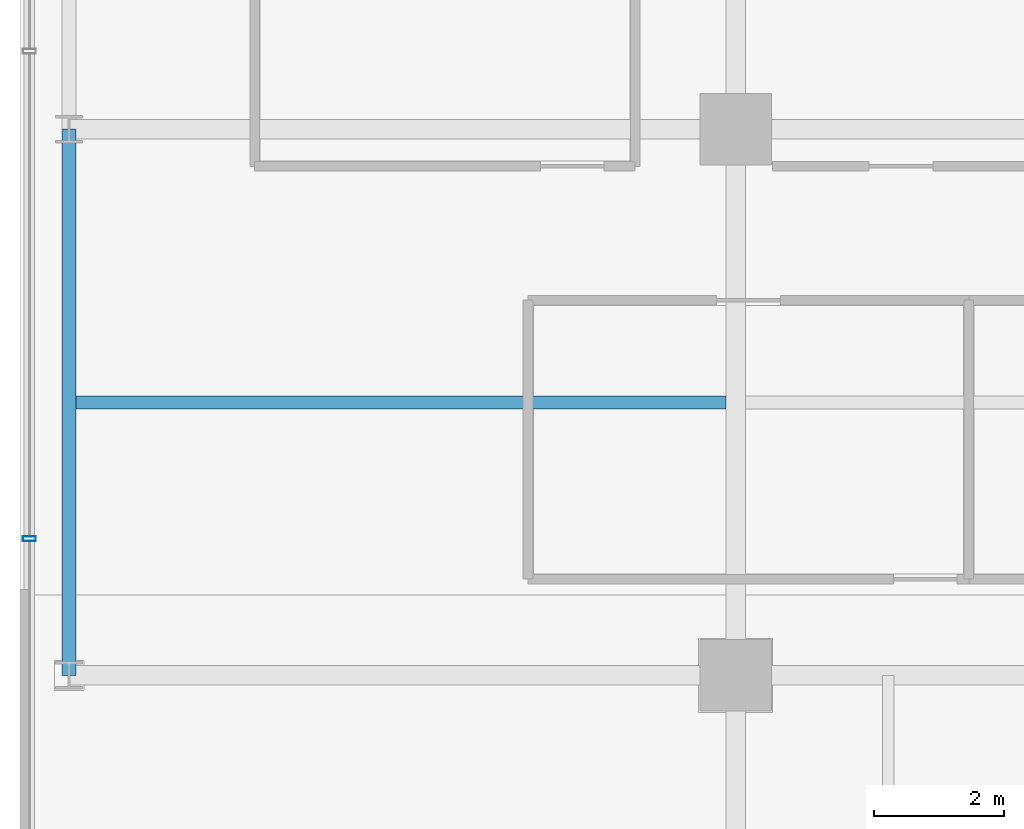
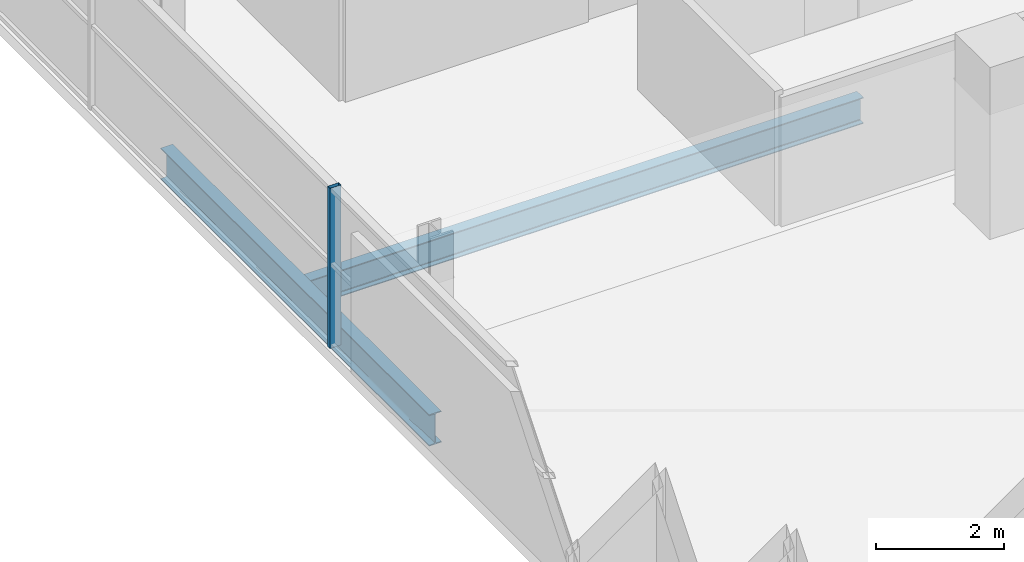
# One storey, part 4 of 30: 2 beams, 1 member, 1 element without a shape of its own.
"""IFC4 building model written with IfcOpenShell, lengths in metres."""

from ifc_helpers import new_model, si_unit, direction, frame, origin, origin_2d, place, context, subcontext, project, spatial, hollow_rectangle, i_section, extrude, source, transform, mapped, material, layer, layer_set, material_profile, profile_set, type_object, element, aggregate, save


model = new_model("IFC4")

# Units and contexts
model_context = context("Model", 3, precision=1e-05, world=origin(), true_north=direction((0.0, 1.0)))
body_context = subcontext(model_context, "Body", "Model", "MODEL_VIEW")
ifc_project = project(units=[si_unit("LENGTHUNIT", "METRE"), si_unit("AREAUNIT", "SQUARE_METRE"), si_unit("VOLUMEUNIT", "CUBIC_METRE"), si_unit("PLANEANGLEUNIT", "RADIAN"), si_unit("MASSUNIT", "GRAM", prefix="KILO")], contexts=[model_context])

# Site, building, storey
site_placement = place(None, origin())
site = spatial("IfcSite", under=ifc_project, at=site_placement, CompositionType="ELEMENT")
building_placement = place(site_placement, origin())
building = spatial("IfcBuilding", under=site, at=building_placement, Name="Zarnakvel Exchange Tower", CompositionType="ELEMENT")
storey_placement = place(building_placement, frame((0.0, 0.0, 43.89990234375)))
storey = spatial("IfcBuildingStorey", under=building, at=storey_placement, Name="L11", CompositionType="ELEMENT", Elevation=43.89990234375)

# Beams
ifc_material_1 = material(Name="Steel S355", Category="steel")
ifc_material_profile_1 = material_profile(ifc_material_1, i_section(OverallWidth=0.199951171875, OverallDepth=0.5, WebThickness=0.01025390625, FlangeThickness=0.01611328125, FilletRadius=0.02099609375, at=origin_2d()))
ifc_profile_set_1 = profile_set([ifc_material_profile_1], Name="Steel S355")
beam_type_1 = type_object("IfcBeamType", Name="B-04", PredefinedType="JOIST", material=ifc_profile_set_1)
beam_1_placement = place(storey_placement, frame((-31.85009765625, -5.39990234375, -0.474853515625), z_axis=(1.0, 0.0, 0.0), x_axis=(0.0, 1.0, 0.0)))
element("IfcBeam", 1, at=beam_1_placement, inside=storey, type_object=beam_type_1, Name="L11 Composite Floor Secondary Joist", PredefinedType="JOIST", context=body_context, shape_type="SweptSolid", body=[
    extrude(i_section(OverallWidth=0.199951171875, OverallDepth=0.5, WebThickness=0.01025390625, FlangeThickness=0.01611328125, FilletRadius=0.02099609375, at=origin_2d()), origin(), (0.0, 0.0, 1.0), 10.10009765625),
])
ifc_material_profile_2 = material_profile(ifc_material_1, i_section(OverallWidth=0.219970703125, OverallDepth=0.60009765625, WebThickness=0.011962890625, FlangeThickness=0.01904296875, FilletRadius=0.02392578125, at=origin_2d()))
ifc_profile_set_2 = profile_set([ifc_material_profile_2], Name="Steel S355")
beam_type_2 = type_object("IfcBeamType", Name="SP-01", PredefinedType="SPANDREL", material=ifc_profile_set_2)
beam_2_placement = place(storey_placement, frame((-31.85009765625, -9.60009765625, -0.52490234375), z_axis=(0.0, 1.0, 0.0), x_axis=(-1.0, 0.0, 0.0)))
element("IfcBeam", 2, at=beam_2_placement, inside=storey, type_object=beam_type_2, Name="L11 Tower N-S Frame Beam", PredefinedType="SPANDREL", context=body_context, shape_type="SweptSolid", body=[
    extrude(i_section(OverallWidth=0.219970703125, OverallDepth=0.60009765625, WebThickness=0.011962890625, FlangeThickness=0.01904296875, FilletRadius=0.02392578125, at=origin_2d()), origin(), (0.0, 0.0, 1.0), 8.400146484375),
])

# Curtain wall, member
ifc_material_2 = material(Name="Architectural Bronze Anodised Aluminium", Category="aluminium")
ifc_layer = layer(ifc_material_2, 0.199951171875)
ifc_layer_set = layer_set([ifc_layer], Name="Architectural Bronze Anodised Aluminium")
curtain_wall_type = type_object("IfcCurtainWallType", Name="CW-04", PredefinedType="NOTDEFINED", material=ifc_layer_set)
curtain_wall_placement = place(storey_placement, origin())
curtain_wall = element("IfcCurtainWall", 3, at=curtain_wall_placement, inside=storey, type_object=curtain_wall_type, Name="L11 Curtain Wall CW-L11-W1 (CW-04)", PredefinedType="NOTDEFINED")
ifc_material_profile_3 = material_profile(ifc_material_2, hollow_rectangle(XDim=0.199951171875, YDim=0.074951171875, WallThickness=0.0048828125, at=origin_2d()))
ifc_profile_set_3 = profile_set([ifc_material_profile_3], Name="Architectural Bronze Anodised Aluminium")
member_type = type_object("IfcMemberType", Name="CWM-04", PredefinedType="MULLION", material=ifc_profile_set_3)
shared_shape = source(origin(), body_context, "Body", "SweptSolid", [
    extrude(hollow_rectangle(XDim=0.199951171875, YDim=0.074951171875, WallThickness=0.0048828125, at=origin_2d()), origin(), (0.0, 0.0, 1.0), 3.05517578125),
])
member_placement = place(storey_placement, frame((-32.4599609375, -7.5, 0.0), z_axis=(0.0, 0.0, 1.0), x_axis=(-1.0, 0.0, 0.0)))
member = element("IfcMember", 4, at=member_placement, type_object=member_type, Name="CW-04 mullion 2", PredefinedType="MULLION", context=body_context, shape_type="MappedRepresentation", body=[
    mapped(shared_shape, transform((0.0, 0.0, 0.0), x_axis=(1.0, 0.0, 0.0), y_axis=(0.0, 1.0, 0.0), z_axis=(0.0, 0.0, 1.0), scale=1.0)),
])
aggregate(curtain_wall, [member])

save(model, "model.ifc")
